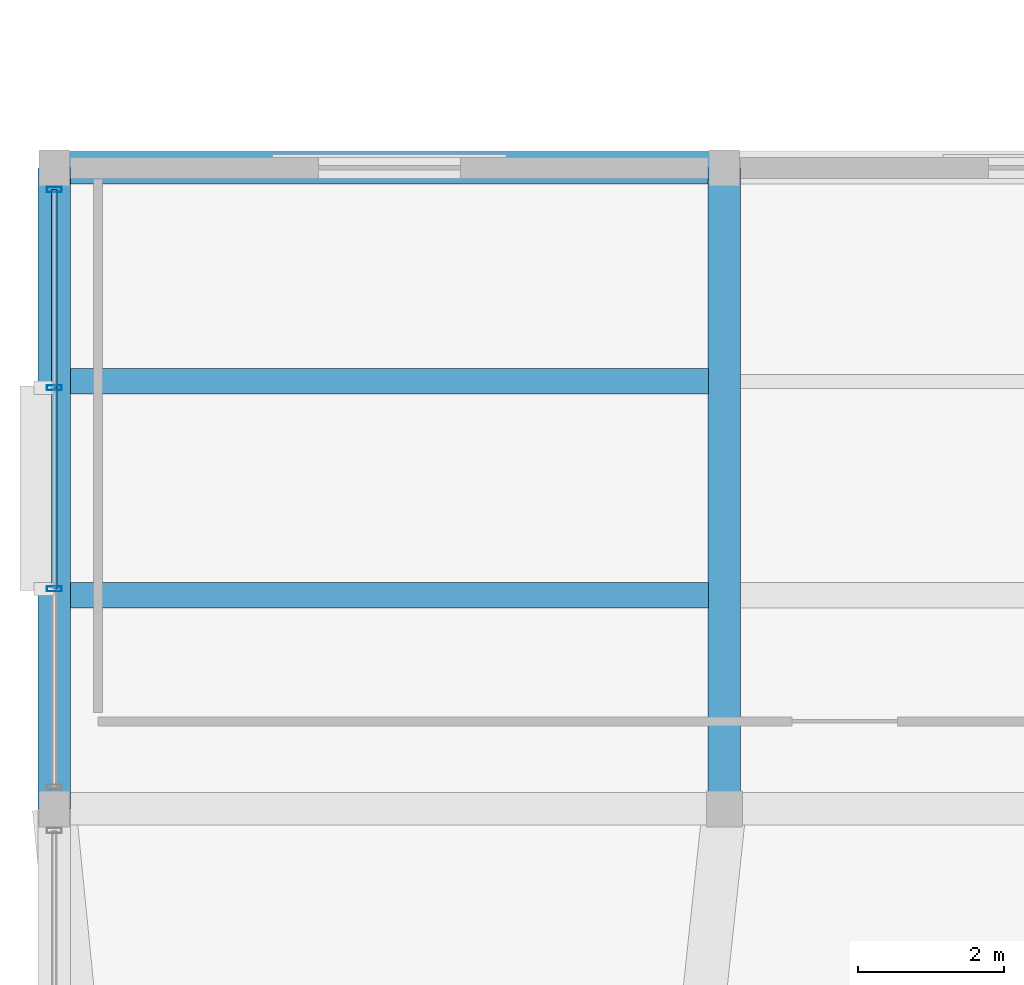
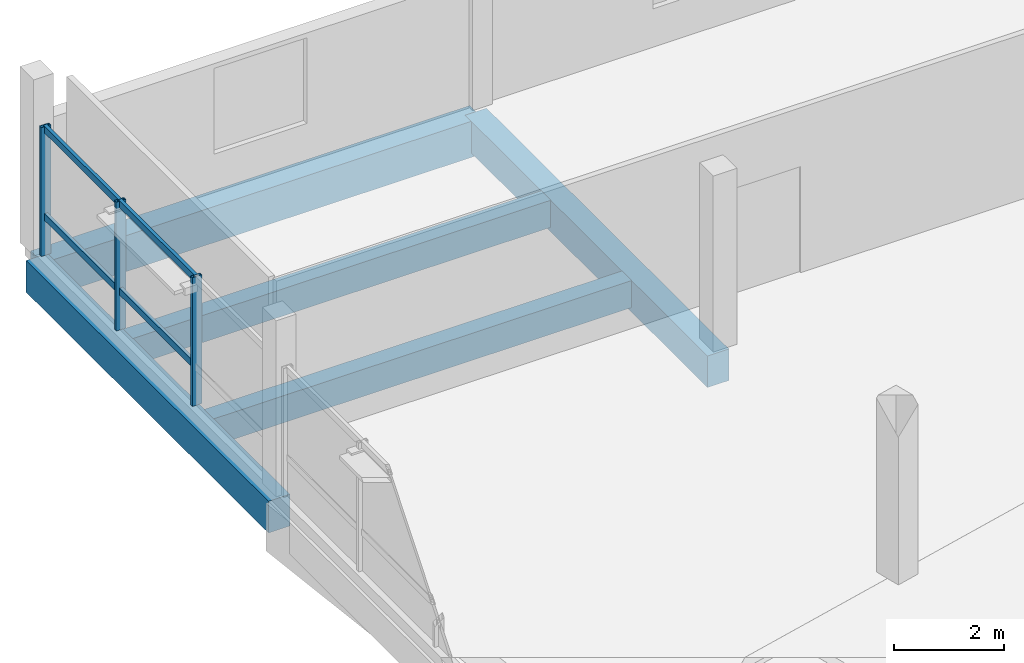
# One storey, part 35 of 62: 7 members, 5 beams, 1 element without a shape of its own.
"""IFC4 building model written with IfcOpenShell, lengths in metres."""

from ifc_helpers import new_model, si_unit, direction, frame, origin, origin_2d, place, context, subcontext, project, spatial, rectangle, hollow_rectangle, extrude, material, layer, layer_set, material_profile, profile_set, type_object, element, aggregate, save


model = new_model("IFC4")

# Units and contexts
model_context = context("Model", 3, precision=1e-05, world=origin(), true_north=direction((0.0, 1.0)))
body_context = subcontext(model_context, "Body", "Model", "MODEL_VIEW")
ifc_project = project(units=[si_unit("LENGTHUNIT", "METRE"), si_unit("AREAUNIT", "SQUARE_METRE"), si_unit("VOLUMEUNIT", "CUBIC_METRE"), si_unit("PLANEANGLEUNIT", "RADIAN"), si_unit("MASSUNIT", "GRAM", prefix="KILO")], contexts=[model_context])

# Site, building, storey
site_placement = place(None, origin())
site = spatial("IfcSite", under=ifc_project, at=site_placement, CompositionType="ELEMENT")
building_placement = place(site_placement, origin())
building = spatial("IfcBuilding", under=site, at=building_placement, Name="Meriwether Solvik Hall", CompositionType="ELEMENT")
storey_placement = place(building_placement, frame((0.0, 0.0, 14.39990234375)))
storey = spatial("IfcBuildingStorey", under=building, at=storey_placement, Name="L03", CompositionType="ELEMENT", Elevation=14.39990234375)

# Beams
ifc_material_1 = material(Name="Concrete C40/50", Category="concrete")
ifc_material_profile_1 = material_profile(ifc_material_1, rectangle(XDim=0.35009765625, YDim=0.60009765625, at=origin_2d()), Name="RCB-350X600")
ifc_profile_set_1 = profile_set([ifc_material_profile_1], Name="Concrete C40/50")
beam_type_1 = type_object("IfcBeamType", Name="BM-RC-350X600", PredefinedType="JOIST", material=ifc_profile_set_1)
for number, where, z_axis, x_axis, name in (
    (1, (59.6201171875, 86.933349609375, -0.544921875), (1.0, 0.0, 0.0), (0.0, 1.0, 0.0), "Secondary Floor Joist 7/J_J1 (L03)"),
    (2, (59.6201171875, 89.86669921875, -0.544921875), (1.0, 0.0, 0.0), (0.0, 1.0, 0.0), "Secondary Floor Joist 7/J_J2 (L03)"),
):
    element("IfcBeam", number, at=place(storey_placement, frame(where, z_axis=z_axis, x_axis=x_axis)), inside=storey, type_object=beam_type_1, Name=name, PredefinedType="JOIST", context=body_context, shape_type="SweptSolid", body=[
        extrude(rectangle(XDim=0.35009765625, YDim=0.60009765625, at=origin_2d()), origin(), (0.0, 0.0, 1.0), 8.759765625),
    ])
ifc_material_2 = material(Name="Concrete C40/50", Category="concrete")
ifc_material_profile_2 = material_profile(ifc_material_2, rectangle(XDim=0.449951171875, YDim=0.699951171875, at=origin_2d()), Name="RCB-450X700")
ifc_profile_set_2 = profile_set([ifc_material_profile_2], Name="Concrete C40/50")
beam_type_2 = type_object("IfcBeamType", Name="BM-RC-450X700", PredefinedType="BEAM", material=ifc_profile_set_2)
for number, where, z_axis, x_axis, name in (
    (3, (59.39990234375, 84.0, -0.594970703125), (0.0, 1.0, 0.0), (-1.0, 0.0, 0.0), "Podium Girder 7:J-K (L03)"),
    (4, (68.60009765625, 84.0, -0.594970703125), (0.0, 1.0, 0.0), (-1.0, 0.0, 0.0), "Podium Girder 8:J-K (L03)"),
):
    element("IfcBeam", number, at=place(storey_placement, frame(where, z_axis=z_axis, x_axis=x_axis)), inside=storey, type_object=beam_type_2, Name=name, PredefinedType="BEAM", context=body_context, shape_type="SweptSolid", body=[
        extrude(rectangle(XDim=0.449951171875, YDim=0.699951171875, at=origin_2d()), origin(), (0.0, 0.0, 1.0), 8.800048828125),
    ])
ifc_material_3 = material(Name="Concrete C40/50", Category="concrete")
ifc_material_profile_3 = material_profile(ifc_material_3, rectangle(XDim=0.449951171875, YDim=0.800048828125, at=origin_2d()), Name="RCB-450X800")
ifc_profile_set_3 = profile_set([ifc_material_profile_3], Name="Concrete C40/50")
beam_type_3 = type_object("IfcBeamType", Name="BM-RC-450X800", PredefinedType="BEAM", material=ifc_profile_set_3)
beam_placement = place(storey_placement, frame((59.39990234375, 92.800048828125, -0.64501953125), z_axis=(1.0, 0.0, 0.0), x_axis=(0.0, 1.0, 0.0)))
element("IfcBeam", 5, at=beam_placement, inside=storey, type_object=beam_type_3, Name="Podium Girder K:7-8 (L03)", PredefinedType="BEAM", context=body_context, shape_type="SweptSolid", body=[
    extrude(rectangle(XDim=0.449951171875, YDim=0.800048828125, at=origin_2d()), origin(), (0.0, 0.0, 1.0), 9.2001953125),
])

# Curtain wall, members
ifc_material_4 = material(Name="Thermally Broken Anodised Aluminium 6063-T6 and Low-E Glass", Category="aluminium")
ifc_layer = layer(ifc_material_4, 0.179931640625)
ifc_layer_set = layer_set([ifc_layer], Name="Thermally Broken Anodised Aluminium 6063-T6 and Low-E Glass")
curtain_wall_type = type_object("IfcCurtainWallType", Name="CW-UNIT-E", PredefinedType="USERDEFINED", material=ifc_layer_set)
curtain_wall_placement = place(storey_placement, origin())
curtain_wall = element("IfcCurtainWall", 6, at=curtain_wall_placement, inside=storey, type_object=curtain_wall_type, Name="Curtain Wall wing_Y7_10_33 (L03)", ObjectType="UNITISED CURTAIN WALL", PredefinedType="USERDEFINED")
ifc_material_5 = material(Name="Anodised Aluminium 6063-T6", Category="aluminium")
ifc_material_profile_4 = material_profile(ifc_material_5, hollow_rectangle(XDim=0.070068359375, YDim=0.199951171875, WallThickness=0.0048828125, at=origin_2d()), Name="CWM-70X200")
ifc_profile_set_4 = profile_set([ifc_material_profile_4], Name="Anodised Aluminium 6063-T6")
member_type_1 = type_object("IfcMemberType", Name="CW-MUL-70X200", PredefinedType="MULLION", material=ifc_profile_set_4)
member_1_placement = place(storey_placement, frame((59.39990234375, 87.019775390625, 0.0), z_axis=(0.0, 0.0, 1.0), x_axis=(0.0, 1.0, 0.0)))
member_1 = element("IfcMember", 7, at=member_1_placement, type_object=member_type_1, Name="Curtain Wall Mullion 2", PredefinedType="MULLION", context=body_context, shape_type="SweptSolid", body=[
    extrude(hollow_rectangle(XDim=0.070068359375, YDim=0.199951171875, WallThickness=0.0048828125, at=origin_2d()), origin(), (0.0, 0.0, 1.0), 2.85498046875),
])
member_2_placement = place(storey_placement, frame((59.39990234375, 89.7802734375, 0.0), z_axis=(0.0, 0.0, 1.0), x_axis=(0.0, 1.0, 0.0)))
member_2 = element("IfcMember", 8, at=member_2_placement, type_object=member_type_1, Name="Curtain Wall Mullion 3", PredefinedType="MULLION", context=body_context, shape_type="SweptSolid", body=[
    extrude(hollow_rectangle(XDim=0.070068359375, YDim=0.199951171875, WallThickness=0.0048828125, at=origin_2d()), origin(), (0.0, 0.0, 1.0), 2.85498046875),
])
member_3_placement = place(storey_placement, frame((59.39990234375, 92.50244140625, 0.0), z_axis=(0.0, 0.0, 1.0), x_axis=(0.0, 1.0, 0.0)))
member_3 = element("IfcMember", 9, at=member_3_placement, type_object=member_type_1, Name="Curtain Wall Mullion 4", PredefinedType="MULLION", context=body_context, shape_type="SweptSolid", body=[
    extrude(hollow_rectangle(XDim=0.070068359375, YDim=0.199951171875, WallThickness=0.0048828125, at=origin_2d()), origin(), (0.0, 0.0, 1.0), 2.85498046875),
])
ifc_material_6 = material(Name="Anodised Aluminium 6063-T6", Category="aluminium")
ifc_material_profile_5 = material_profile(ifc_material_6, hollow_rectangle(XDim=0.070068359375, YDim=0.14990234375, WallThickness=0.0048828125, at=origin_2d()), Name="CWT-70X150")
ifc_profile_set_5 = profile_set([ifc_material_profile_5], Name="Anodised Aluminium 6063-T6")
member_type_2 = type_object("IfcMemberType", Name="CW-TRN-70X150", PredefinedType="USERDEFINED", material=ifc_profile_set_5)
member_4_placement = place(storey_placement, frame((59.39990234375, 87.019775390625, 0.856689453125), z_axis=(0.0, 1.0, 0.0), x_axis=(-1.0, 0.0, 0.0)))
member_4 = element("IfcMember", 10, at=member_4_placement, type_object=member_type_2, Name="Curtain Wall Transom 2-sill", ObjectType="TRANSOM", PredefinedType="USERDEFINED", context=body_context, shape_type="SweptSolid", body=[
    extrude(hollow_rectangle(XDim=0.070068359375, YDim=0.14990234375, WallThickness=0.0048828125, at=origin_2d()), origin(), (0.0, 0.0, 1.0), 2.760498046875),
])
member_5_placement = place(storey_placement, frame((59.39990234375, 87.019775390625, 2.795166015625), z_axis=(0.0, 1.0, 0.0), x_axis=(-1.0, 0.0, 0.0)))
member_5 = element("IfcMember", 11, at=member_5_placement, type_object=member_type_2, Name="Curtain Wall Transom 2-head", ObjectType="TRANSOM", PredefinedType="USERDEFINED", context=body_context, shape_type="SweptSolid", body=[
    extrude(hollow_rectangle(XDim=0.070068359375, YDim=0.14990234375, WallThickness=0.0048828125, at=origin_2d()), origin(), (0.0, 0.0, 1.0), 2.760498046875),
])
member_6_placement = place(storey_placement, frame((59.39990234375, 89.7802734375, 0.856689453125), z_axis=(0.0, 1.0, 0.0), x_axis=(-1.0, 0.0, 0.0)))
member_6 = element("IfcMember", 12, at=member_6_placement, type_object=member_type_2, Name="Curtain Wall Transom 3-sill", ObjectType="TRANSOM", PredefinedType="USERDEFINED", context=body_context, shape_type="SweptSolid", body=[
    extrude(hollow_rectangle(XDim=0.070068359375, YDim=0.14990234375, WallThickness=0.0048828125, at=origin_2d()), origin(), (0.0, 0.0, 1.0), 2.72216796875),
])
member_7_placement = place(storey_placement, frame((59.39990234375, 89.7802734375, 2.795166015625), z_axis=(0.0, 1.0, 0.0), x_axis=(-1.0, 0.0, 0.0)))
member_7 = element("IfcMember", 13, at=member_7_placement, type_object=member_type_2, Name="Curtain Wall Transom 3-head", ObjectType="TRANSOM", PredefinedType="USERDEFINED", context=body_context, shape_type="SweptSolid", body=[
    extrude(hollow_rectangle(XDim=0.070068359375, YDim=0.14990234375, WallThickness=0.0048828125, at=origin_2d()), origin(), (0.0, 0.0, 1.0), 2.72216796875),
])
aggregate(curtain_wall, [member_1, member_2, member_3, member_4, member_5, member_6, member_7])

save(model, "model.ifc")
